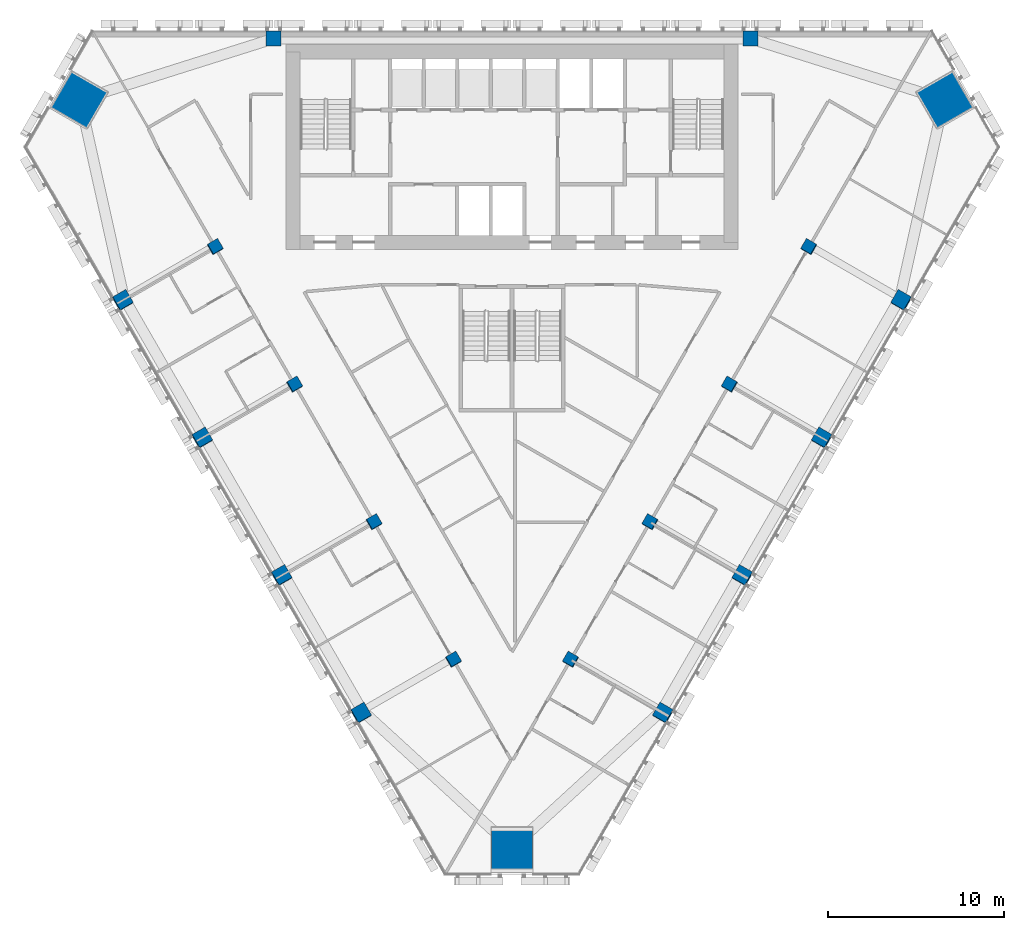
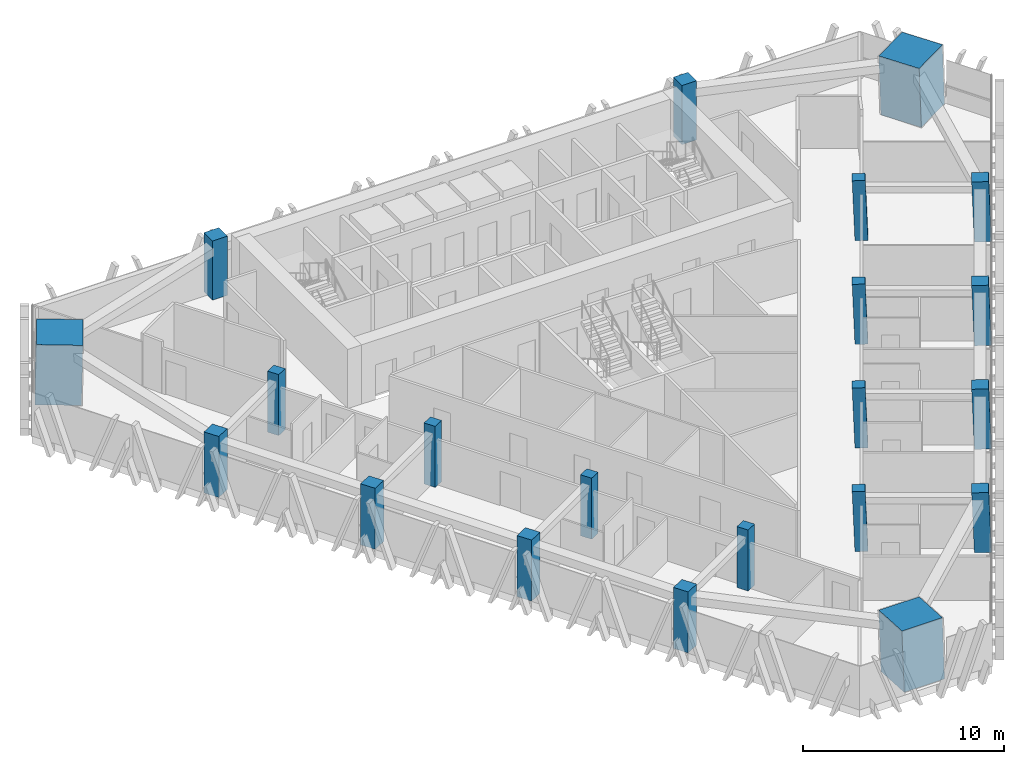
# One storey, part 1 of 16: 21 columns.
"""IFC4 building model written with IfcOpenShell, lengths in metres."""

from ifc_helpers import new_model, si_unit, direction, frame, origin, origin_2d, place, context, subcontext, project, spatial, rectangle, extrude, material, material_profile, profile_set, type_object, element, save


model = new_model("IFC4")

# Units and contexts
model_context = context("Model", 3, precision=1e-05, world=origin(), true_north=direction((0.0, 1.0)))
body_context = subcontext(model_context, "Body", "Model", "MODEL_VIEW")
ifc_project = project(units=[si_unit("LENGTHUNIT", "METRE"), si_unit("AREAUNIT", "SQUARE_METRE"), si_unit("VOLUMEUNIT", "CUBIC_METRE"), si_unit("PLANEANGLEUNIT", "RADIAN"), si_unit("MASSUNIT", "GRAM", prefix="KILO")], contexts=[model_context])

# Site, building, storey
site_placement = place(None, origin())
site = spatial("IfcSite", under=ifc_project, at=site_placement, CompositionType="ELEMENT")
building_placement = place(site_placement, origin())
building = spatial("IfcBuilding", under=site, at=building_placement, Name="Altiplano Prism Tower", CompositionType="ELEMENT")
storey_placement = place(building_placement, frame((0.0, 0.0, 138.60009765625)))
storey = spatial("IfcBuildingStorey", under=building, at=storey_placement, Name="L35", CompositionType="ELEMENT", Elevation=138.60009765625)

# Columns
ifc_material_1 = material(Name="Concrete C60/75", Category="concrete")
ifc_material_profile_1 = material_profile(ifc_material_1, rectangle(XDim=0.64990234375, YDim=0.64990234375, at=origin_2d()), Name="Inner column 650")
ifc_profile_set_1 = profile_set([ifc_material_profile_1], Name="Concrete C60/75")
column_type_1 = type_object("IfcColumnType", Name="Inner column 650", PredefinedType="COLUMN", material=ifc_profile_set_1)
for number, where, z_axis, x_axis, name in (
    (1, (68.171875, 92.735595703125, -0.019775390625), (0.022222910879, 0.038415824599, 0.999014697916), (-0.866024016249, -0.498523002016, 0.038434616444), "Inner column I11 L35"),
    (2, (72.671875, 84.94140625, -0.019775390625), (0.022222910879, 0.038415824599, 0.999014697916), (-0.866021322354, -0.498527672539, 0.038434736118), "Inner column I12 L35"),
    (3, (77.171875, 77.14697265625, -0.019775390625), (0.022222852987, 0.038483477124, 0.999012095419), (-0.865640905988, -0.499184032545, 0.038485367762), "Inner column I13 L35"),
    (4, (81.671875, 69.352783203125, -0.019775390625), (0.022222852987, 0.038483477124, 0.999012095419), (-0.865640897259, -0.499184047654, 0.03848536815), "Inner column I14 L35"),
    (5, (88.328125, 69.352783203125, -0.019775390625), (-0.022222852987, 0.038483477124, 0.999012095419), (-0.500171952231, -0.865640981329, 0.022219577963), "Inner column I21 L35"),
    (6, (92.828125, 77.14697265625, -0.019775390625), (-0.022222852987, 0.038483477124, 0.999012095419), (-0.500171937123, -0.865640990042, 0.022219578635), "Inner column I22 L35"),
    (7, (97.328125, 84.94140625, -0.019775390625), (-0.022222910879, 0.038415824599, 0.999014697916), (-0.499512974266, -0.866022161456, 0.022190187181), "Inner column I23 L35"),
    (8, (101.828125, 92.735595703125, -0.019775390625), (-0.022222910879, 0.038415824599, 0.999014697916), (-0.499512959151, -0.866022170157, 0.022190187852), "Inner column I24 L35"),
):
    element("IfcColumn", number, at=place(storey_placement, frame(where, z_axis=z_axis, x_axis=x_axis)), inside=storey, type_object=column_type_1, Name=name, PredefinedType="COLUMN", context=body_context, shape_type="SweptSolid", body=[
        extrude(rectangle(XDim=0.64990234375, YDim=0.64990234375, at=origin_2d()), origin(), (0.0, 0.0, 1.0), 3.603515625),
    ])
ifc_material_2 = material(Name="Concrete C70/85", Category="concrete")
ifc_material_profile_2 = material_profile(ifc_material_2, rectangle(XDim=2.320068359375, YDim=2.320068359375, at=origin_2d()), Name="Mega column infill 2400")
ifc_profile_set_2 = profile_set([ifc_material_profile_2], Name="Concrete C70/85")
column_type_2 = type_object("IfcColumnType", Name="Mega column infill 2400", PredefinedType="COLUMN", material=ifc_profile_set_2)
column_1_placement = place(storey_placement, frame((60.422607421875, 101.052978515625, 0.0), z_axis=(0.028403721265, 0.009287135593, 0.999553389135), x_axis=(-0.866201877506, 0.49929479911, 0.019975259356)))
element("IfcColumn", 9, at=column_1_placement, inside=storey, type_object=column_type_2, Name="Mega column M0 L35", PredefinedType="COLUMN", context=body_context, shape_type="SweptSolid", body=[
    extrude(rectangle(XDim=2.320068359375, YDim=2.320068359375, at=origin_2d()), origin(), (0.0, 0.0, 1.0), 3.6015625),
])
column_2_placement = place(storey_placement, frame((85.0, 58.483642578125, 0.0), z_axis=(0.0, 0.058360852261, 0.998295552892), x_axis=(-1.0, 0.0, 0.0)))
element("IfcColumn", 10, at=column_2_placement, inside=storey, type_object=column_type_2, Name="Mega column M1 L35", PredefinedType="COLUMN", context=body_context, shape_type="SweptSolid", body=[
    extrude(rectangle(XDim=2.320068359375, YDim=2.320068359375, at=origin_2d()), origin(), (0.0, 0.0, 1.0), 3.60595703125),
])
column_3_placement = place(storey_placement, frame((109.577392578125, 101.052978515625, 0.0), z_axis=(-0.028403721265, 0.009287135593, 0.999553389135), x_axis=(0.498883801201, -0.866383831898, 0.022226307065)))
element("IfcColumn", 11, at=column_3_placement, inside=storey, type_object=column_type_2, Name="Mega column M2 L35", PredefinedType="COLUMN", context=body_context, shape_type="SweptSolid", body=[
    extrude(rectangle(XDim=2.320068359375, YDim=2.320068359375, at=origin_2d()), origin(), (0.0, 0.0, 1.0), 3.6015625),
])
ifc_material_profile_3 = material_profile(ifc_material_1, rectangle(XDim=0.85009765625, YDim=0.85009765625, at=origin_2d()), Name="Perimeter column 850")
ifc_profile_set_3 = profile_set([ifc_material_profile_3], Name="Concrete C60/75")
column_type_3 = type_object("IfcColumnType", Name="Perimeter column 850", PredefinedType="COLUMN", material=ifc_profile_set_3)
for number, where, z_axis, x_axis, name in (
    (12, (98.5, 104.550048828125, 0.0), (0.0, 0.0, 1.0), (1.0, 0.0, 0.0), "Perimeter column P01 L35"),
    (13, (71.5, 104.550048828125, 0.0), (0.0, 0.0, 1.0), (1.0, 0.0, 0.0), "Perimeter column P04 L35"),
):
    element("IfcColumn", number, at=place(storey_placement, frame(where, z_axis=z_axis, x_axis=x_axis)), inside=storey, type_object=column_type_3, Name=name, PredefinedType="COLUMN", context=body_context, shape_type="SweptSolid", body=[
        extrude(rectangle(XDim=0.85009765625, YDim=0.85009765625, at=origin_2d()), origin(), (0.0, 0.0, 1.0), 3.599853515625),
    ])
for number, where, z_axis, x_axis, name in (
    (14, (62.932373046875, 89.710205078125, -0.02587890625), (0.022153634206, 0.038480930364, 0.999013730882), (-0.864982414942, -0.500326646225, 0.038453464312), "Perimeter column P11 L35"),
    (15, (67.432373046875, 81.916015625, -0.02587890625), (0.022153634206, 0.038480930364, 0.999013730882), (-0.864982397443, -0.500326676419, 0.038453465087), "Perimeter column P12 L35"),
    (16, (71.932373046875, 74.121826171875, -0.02587890625), (0.02215369191, 0.038413282303, 0.999016333038), (-0.865363543364, -0.499671056237, 0.038402778216), "Perimeter column P13 L35"),
    (17, (76.432373046875, 66.32763671875, -0.02587890625), (0.02215369191, 0.038413282303, 0.999016333038), (-0.865363525888, -0.499671086444, 0.03840277899), "Perimeter column P14 L35"),
    (18, (93.567626953125, 66.32763671875, -0.02587890625), (-0.02215369191, 0.038413282303, 0.999016333038), (-0.500654753295, -0.865363059712, 0.022171894109), "Perimeter column P21 L35"),
    (19, (98.067626953125, 74.121826171875, -0.02587890625), (-0.02215369191, 0.038413282303, 0.999016333038), (-0.500654723088, -0.865363077154, 0.022171895449), "Perimeter column P22 L35"),
    (20, (102.567626953125, 81.916015625, -0.02587890625), (-0.022153634206, 0.038480930364, 0.999013730882), (-0.501312944781, -0.864981176016, 0.022201273229), "Perimeter column P23 L35"),
    (21, (107.067626953125, 89.710205078125, -0.02587890625), (-0.022153634206, 0.038480930364, 0.999013730882), (-0.501312914587, -0.864981193481, 0.022201274571), "Perimeter column P24 L35"),
):
    element("IfcColumn", number, at=place(storey_placement, frame(where, z_axis=z_axis, x_axis=x_axis)), inside=storey, type_object=column_type_3, Name=name, PredefinedType="COLUMN", context=body_context, shape_type="SweptSolid", body=[
        extrude(rectangle(XDim=0.85009765625, YDim=0.85009765625, at=origin_2d()), origin(), (0.0, 0.0, 1.0), 3.603759765625),
    ])

save(model, "model.ifc")
